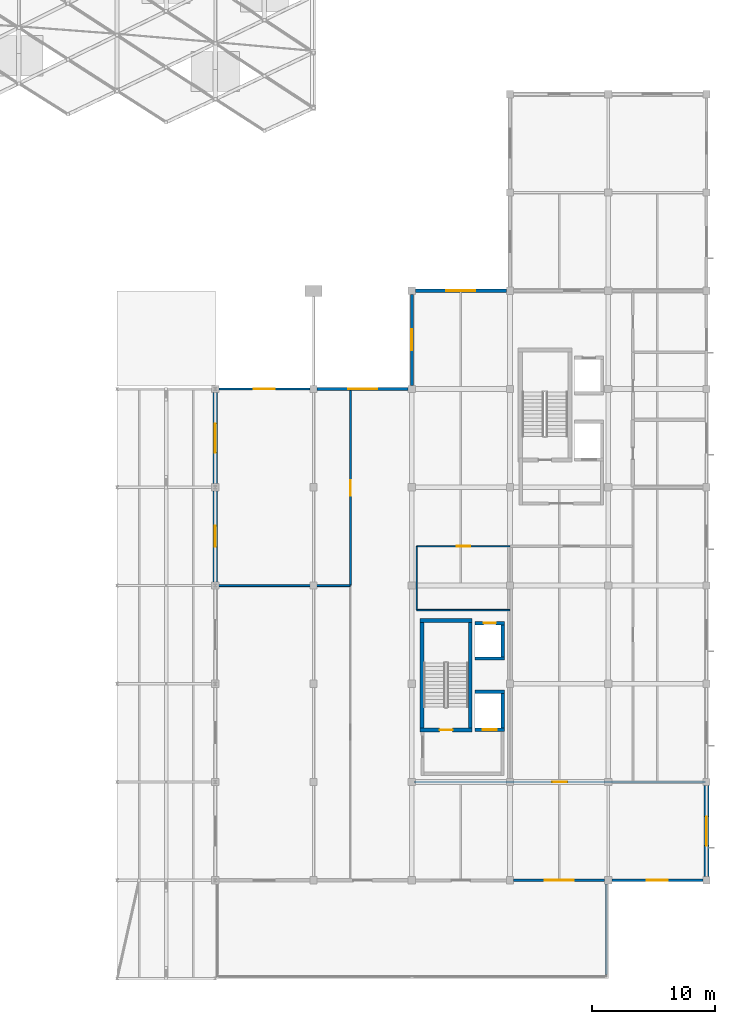
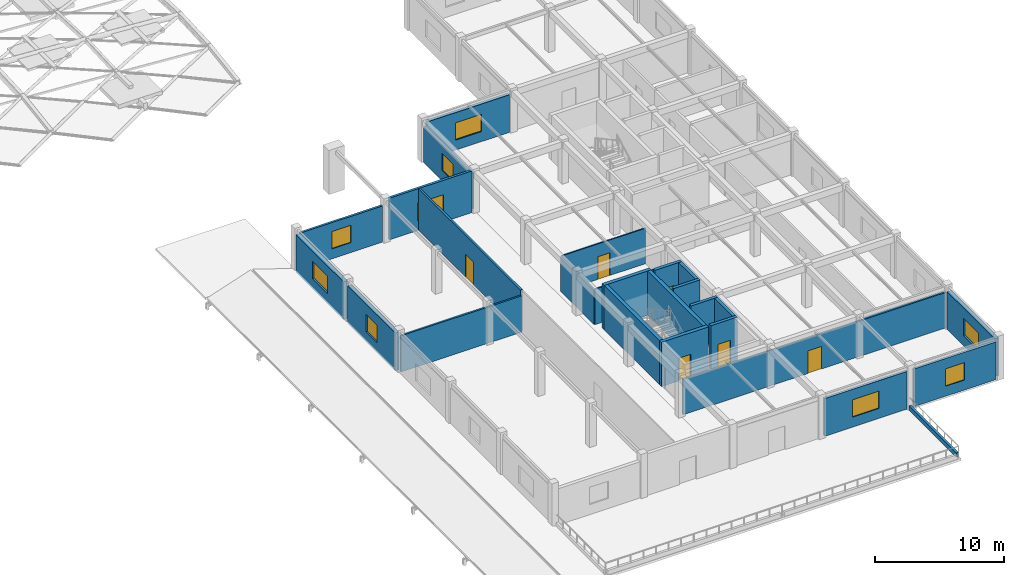
# One storey, part 16 of 27: 26 walls, 9 windows, 6 doors, 15 openings.
"""IFC4 building model written with IfcOpenShell, lengths in metres."""

from ifc_helpers import new_model, si_unit, direction, frame, frame_2d, origin, place, context, subcontext, project, spatial, rectangle, extrude, material, layer, layer_set, type_object, element, fill, save


model = new_model("IFC4")

# Units and contexts
model_context = context("Model", 3, precision=1e-05, world=origin(), true_north=direction((0.0, 1.0)))
body_context = subcontext(model_context, "Body", "Model", "MODEL_VIEW")
ifc_project = project(units=[si_unit("LENGTHUNIT", "METRE"), si_unit("AREAUNIT", "SQUARE_METRE"), si_unit("VOLUMEUNIT", "CUBIC_METRE"), si_unit("PLANEANGLEUNIT", "RADIAN"), si_unit("MASSUNIT", "GRAM", prefix="KILO")], contexts=[model_context])

# Site, building, storey
site_placement = place(None, origin())
site = spatial("IfcSite", under=ifc_project, at=site_placement, CompositionType="ELEMENT")
building_placement = place(site_placement, origin())
building = spatial("IfcBuilding", under=site, at=building_placement, Name="Kenh Van Central Station", CompositionType="ELEMENT")
storey_placement = place(building_placement, frame((0.0, 0.0, 19.199951171875)))
storey = spatial("IfcBuildingStorey", under=building, at=storey_placement, Name="L04", CompositionType="ELEMENT", Elevation=19.199951171875)

# Wall, opening, door
ifc_material_1 = material(Name="Concrete C40/50", Category="concrete")
ifc_layer_1 = layer(ifc_material_1, 0.280029296875, Name="Concrete C40/50")
ifc_layer_set_1 = layer_set([ifc_layer_1], Name="Concrete C40/50")
wall_type_1 = type_object("IfcWallType", Name="WL-CORE-280", PredefinedType="SHEAR", material=ifc_layer_set_1)
wall_1_placement = place(storey_placement, frame((157.14990234375, 28.260009765625, 0.0), z_axis=(0.0, 0.0, 1.0), x_axis=(1.0, 0.0, 0.0)))
wall_1 = element("IfcWall", 1, at=wall_1_placement, inside=storey, type_object=wall_type_1, Name="L04 LIFT-FF1 shaft wall S", PredefinedType="SHEAR", context=body_context, shape_type="SweptSolid", body=[
    extrude(rectangle(XDim=2.380126953125, YDim=0.280029296875, at=frame_2d((1.18994140625, 0.0))), origin(), (0.0, 0.0, 1.0), 4.199951171875),
])
opening_1_placement = place(wall_1_placement, frame((0.614990234375, 0.0, 0.0)))
opening_1 = element("IfcOpeningElement", 2, at=opening_1_placement, cuts=wall_1, Name="Opening LD-FF1", PredefinedType="OPENING", context=body_context, shape_type="SweptSolid", body=[
    extrude(rectangle(XDim=1.14990234375, YDim=2.199951171875, at=frame_2d((0.574951171875, 1.10009765625))), frame((0.0, 0.14990234375, 0.0), z_axis=(0.0, -1.0, 0.0), x_axis=(1.0, 0.0, 0.0)), (0.0, 0.0, 1.0), 0.300048828125),
])
ifc_material_2 = material(Name="Champagne anodised aluminium", Category="aluminium")
door_type_1 = type_object("IfcDoorType", Name="DR-LIFT-1150x2200", OperationType="SLIDING_TO_LEFT", PredefinedType="DOOR", material=ifc_material_2)
door_1_placement = place(opening_1_placement, origin())
door_1 = element("IfcDoor", 3, at=door_1_placement, inside=storey, type_object=door_type_1, Name="L04 LIFT-FF1 sliding landing door", OperationType="SLIDING_TO_LEFT", OverallHeight=2.199951171875, OverallWidth=1.14990234375, PredefinedType="DOOR", context=body_context, shape_type="SweptSolid", body=[
    extrude(rectangle(XDim=1.14990234375, YDim=2.199951171875, at=frame_2d((0.574951171875, 1.10009765625))), frame((0.0, 0.02490234375, 0.0), z_axis=(0.0, -1.0, 0.0), x_axis=(1.0, 0.0, 0.0)), (0.0, 0.0, 1.0), 0.050048828125),
])
fill(opening_1, door_1)

# Walls
wall_2_placement = place(storey_placement, frame((157.14990234375, 31.340087890625, 0.0), z_axis=(0.0, 0.0, 1.0), x_axis=(1.0, 0.0, 0.0)))
element("IfcWall", 4, at=wall_2_placement, inside=storey, type_object=wall_type_1, Name="L04 LIFT-FF1 shaft wall N", PredefinedType="SHEAR", context=body_context, shape_type="SweptSolid", body=[
    extrude(rectangle(XDim=2.380126953125, YDim=0.280029296875, at=frame_2d((1.18994140625, 0.0))), origin(), (0.0, 0.0, 1.0), 4.199951171875),
])
wall_3_placement = place(storey_placement, frame((159.389892578125, 28.39990234375, 0.0), z_axis=(0.0, 0.0, 1.0), x_axis=(0.0, 1.0, 0.0)))
element("IfcWall", 5, at=wall_3_placement, inside=storey, type_object=wall_type_1, Name="L04 LIFT-FF1 shaft wall E", PredefinedType="SHEAR", context=body_context, shape_type="SweptSolid", body=[
    extrude(rectangle(XDim=2.800048828125, YDim=0.280029296875, at=frame_2d((1.39990234375, 0.0))), origin(), (0.0, 0.0, 1.0), 4.199951171875),
])
wall_4_placement = place(storey_placement, frame((157.14990234375, 34.06005859375, 0.0), z_axis=(0.0, 0.0, 1.0), x_axis=(1.0, 0.0, 0.0)))
element("IfcWall", 6, at=wall_4_placement, inside=storey, type_object=wall_type_1, Name="L04 LIFT-OP1 shaft wall S", PredefinedType="SHEAR", context=body_context, shape_type="SweptSolid", body=[
    extrude(rectangle(XDim=2.380126953125, YDim=0.280029296875, at=frame_2d((1.18994140625, 0.0))), origin(), (0.0, 0.0, 1.0), 4.199951171875),
])

# Wall, opening, door
wall_5_placement = place(storey_placement, frame((157.14990234375, 36.93994140625, 0.0), z_axis=(0.0, 0.0, 1.0), x_axis=(1.0, 0.0, 0.0)))
wall_5 = element("IfcWall", 7, at=wall_5_placement, inside=storey, type_object=wall_type_1, Name="L04 LIFT-OP1 shaft wall N", PredefinedType="SHEAR", context=body_context, shape_type="SweptSolid", body=[
    extrude(rectangle(XDim=2.380126953125, YDim=0.280029296875, at=frame_2d((1.18994140625, 0.0))), origin(), (0.0, 0.0, 1.0), 4.199951171875),
])
opening_2_placement = place(wall_5_placement, frame((0.68994140625, 0.0, 0.0)))
opening_2 = element("IfcOpeningElement", 8, at=opening_2_placement, cuts=wall_5, Name="Opening LD-OP1", PredefinedType="OPENING", context=body_context, shape_type="SweptSolid", body=[
    extrude(rectangle(XDim=1.0, YDim=2.14990234375, at=frame_2d((0.5, 1.074951171875))), frame((0.0, 0.14990234375, 0.0), z_axis=(0.0, -1.0, 0.0), x_axis=(1.0, 0.0, 0.0)), (0.0, 0.0, 1.0), 0.300048828125),
])
door_type_2 = type_object("IfcDoorType", Name="DR-LIFT-1000x2150", OperationType="SLIDING_TO_LEFT", PredefinedType="DOOR", material=ifc_material_2)
door_2_placement = place(opening_2_placement, origin())
door_2 = element("IfcDoor", 9, at=door_2_placement, inside=storey, type_object=door_type_2, Name="L04 LIFT-OP1 sliding landing door", OperationType="SLIDING_TO_LEFT", OverallHeight=2.14990234375, OverallWidth=1.0, PredefinedType="DOOR", context=body_context, shape_type="SweptSolid", body=[
    extrude(rectangle(XDim=1.0, YDim=2.14990234375, at=frame_2d((0.5, 1.074951171875))), frame((0.0, 0.02490234375, 0.0), z_axis=(0.0, -1.0, 0.0), x_axis=(1.0, 0.0, 0.0)), (0.0, 0.0, 1.0), 0.050048828125),
])
fill(opening_2, door_2)

# Wall
wall_6_placement = place(storey_placement, frame((159.389892578125, 34.199951171875, 0.0), z_axis=(0.0, 0.0, 1.0), x_axis=(0.0, 1.0, 0.0)))
element("IfcWall", 10, at=wall_6_placement, inside=storey, type_object=wall_type_1, Name="L04 LIFT-OP1 shaft wall E", PredefinedType="SHEAR", context=body_context, shape_type="SweptSolid", body=[
    extrude(rectangle(XDim=2.60009765625, YDim=0.280029296875, at=frame_2d((1.300048828125, 0.0))), origin(), (0.0, 0.0, 1.0), 4.199951171875),
])

# Wall, opening, door
ifc_layer_2 = layer(ifc_material_1, 0.320068359375, Name="Concrete C40/50")
ifc_layer_set_2 = layer_set([ifc_layer_2], Name="Concrete C40/50")
wall_type_2 = type_object("IfcWallType", Name="WL-CORE-320", PredefinedType="SHEAR", material=ifc_layer_set_2)
wall_7_placement = place(storey_placement, frame((152.679931640625, 28.239990234375, 0.0), z_axis=(0.0, 0.0, 1.0), x_axis=(1.0, 0.0, 0.0)))
wall_7 = element("IfcWall", 11, at=wall_7_placement, inside=storey, type_object=wall_type_2, Name="L04 CORE-09 stair wall S", PredefinedType="SHEAR", context=body_context, shape_type="SweptSolid", body=[
    extrude(rectangle(XDim=4.239990234375, YDim=0.320068359375, at=frame_2d((2.1201171875, 0.0))), origin(), (0.0, 0.0, 1.0), 4.199951171875),
])
opening_3_placement = place(wall_7_placement, frame((1.594970703125, 0.0, 0.0)))
opening_3 = element("IfcOpeningElement", 12, at=opening_3_placement, cuts=wall_7, Name="Opening D-FD60", PredefinedType="OPENING", context=body_context, shape_type="SweptSolid", body=[
    extrude(rectangle(XDim=1.050048828125, YDim=2.14990234375, at=frame_2d((0.52490234375, 1.074951171875))), frame((0.0, 0.169921875, 0.0), z_axis=(0.0, -1.0, 0.0), x_axis=(1.0, 0.0, 0.0)), (0.0, 0.0, 1.0), 0.340087890625),
])
door_type_3 = type_object("IfcDoorType", Name="DR-FIRE-1050x2150", OperationType="NOTDEFINED", PredefinedType="DOOR", material=ifc_material_2)
door_3_placement = place(opening_3_placement, origin())
door_3 = element("IfcDoor", 13, at=door_3_placement, inside=storey, type_object=door_type_3, Name="L04 ST-09 stair door", OperationType="SINGLE_SWING_RIGHT", OverallHeight=2.14990234375, OverallWidth=1.050048828125, PredefinedType="DOOR", context=body_context, shape_type="SweptSolid", body=[
    extrude(rectangle(XDim=1.050048828125, YDim=2.14990234375, at=frame_2d((0.52490234375, 1.074951171875))), frame((0.0, 0.02490234375, 0.0), z_axis=(0.0, -1.0, 0.0), x_axis=(1.0, 0.0, 0.0)), (0.0, 0.0, 1.0), 0.050048828125),
])
fill(opening_3, door_3)

# Walls
wall_8_placement = place(storey_placement, frame((152.679931640625, 37.159912109375, 0.0), z_axis=(0.0, 0.0, 1.0), x_axis=(1.0, 0.0, 0.0)))
element("IfcWall", 14, at=wall_8_placement, inside=storey, type_object=wall_type_2, Name="L04 CORE-09 stair wall N", PredefinedType="SHEAR", context=body_context, shape_type="SweptSolid", body=[
    extrude(rectangle(XDim=4.239990234375, YDim=0.320068359375, at=frame_2d((2.1201171875, 0.0))), origin(), (0.0, 0.0, 1.0), 4.199951171875),
])
for number, where, z_axis, x_axis, name in (
    (15, (152.840087890625, 28.39990234375, 0.0), (0.0, 0.0, 1.0), (0.0, 1.0, 0.0), "L04 CORE-09 stair wall W"),
    (16, (156.760009765625, 28.39990234375, 0.0), (0.0, 0.0, 1.0), (0.0, 1.0, 0.0), "L04 CORE-09 stair wall E"),
):
    element("IfcWall", number, at=place(storey_placement, frame(where, z_axis=z_axis, x_axis=x_axis)), inside=storey, type_object=wall_type_2, Name=name, PredefinedType="SHEAR", context=body_context, shape_type="SweptSolid", body=[
        extrude(rectangle(XDim=8.60009765625, YDim=0.320068359375, at=frame_2d((4.300048828125, 0.0))), origin(), (0.0, 0.0, 1.0), 4.199951171875),
    ])

# Wall, opening, window
ifc_material_3 = material(Name="Saigon buff sandstone and terracotta masonry", Category="masonry")
ifc_layer_3 = layer(ifc_material_3, 0.2900390625, Name="Saigon buff sandstone and terracotta masonry")
ifc_layer_set_3 = layer_set([ifc_layer_3], Name="Saigon buff sandstone and terracotta masonry")
wall_type_3 = type_object("IfcWallType", Name="WL-EXT-290", PredefinedType="STANDARD", material=ifc_layer_set_3)
wall_9_placement = place(storey_placement, frame((159.699951171875, 64.0, 0.0), z_axis=(0.0, 0.0, 1.0), x_axis=(-1.0, 0.0, 0.0)))
wall_9 = element("IfcWall", 17, at=wall_9_placement, inside=storey, type_object=wall_type_3, Name="L04 exterior wall 148", PredefinedType="STANDARD", context=body_context, shape_type="SweptSolid", body=[
    extrude(rectangle(XDim=7.39990234375, YDim=0.2900390625, at=frame_2d((3.699951171875, 0.0))), origin(), (0.0, 0.0, 1.0), 3.570068359375),
])
opening_4_placement = place(wall_9_placement, frame((2.52490234375, 0.0, 0.949951171875)))
opening_4 = element("IfcOpeningElement", 18, at=opening_4_placement, cuts=wall_9, Name="Opening WN-20", PredefinedType="OPENING", context=body_context, shape_type="SweptSolid", body=[
    extrude(rectangle(XDim=2.35009765625, YDim=1.64990234375, at=frame_2d((1.175048828125, 0.824951171875))), frame((0.0, 0.155029296875, 0.0), z_axis=(0.0, -1.0, 0.0), x_axis=(1.0, 0.0, 0.0)), (0.0, 0.0, 1.0), 0.31005859375),
])
ifc_material_4 = material(Name="Double-glazed low-E laminated solar glass", Category="glass")
window_type_1 = type_object("IfcWindowType", Name="WN-OP04-2350x1650", PartitioningType="DOUBLE_PANEL_VERTICAL", PredefinedType="WINDOW", material=ifc_material_4)
window_1_placement = place(opening_4_placement, origin())
window_1 = element("IfcWindow", 19, at=window_1_placement, inside=storey, type_object=window_type_1, Name="L04 window 114", OverallHeight=1.64990234375, OverallWidth=2.35009765625, PartitioningType="SINGLE_PANEL", PredefinedType="WINDOW", context=body_context, shape_type="SweptSolid", body=[
    extrude(rectangle(XDim=2.35009765625, YDim=1.64990234375, at=frame_2d((1.175048828125, 0.824951171875))), frame((0.0, 0.030029296875, 0.0), z_axis=(0.0, -1.0, 0.0), x_axis=(1.0, 0.0, 0.0)), (0.0, 0.0, 1.0), 0.06005859375),
])
fill(opening_4, window_1)

ifc_layer_4 = layer(ifc_material_3, 0.35009765625, Name="Saigon buff sandstone and terracotta masonry")
ifc_layer_set_4 = layer_set([ifc_layer_4], Name="Saigon buff sandstone and terracotta masonry")
wall_type_4 = type_object("IfcWallType", Name="WL-EXT-350", PredefinedType="STANDARD", material=ifc_layer_set_4)
wall_10_placement = place(storey_placement, frame((136.0, 47.699951171875, 0.0), z_axis=(0.0, 0.0, 1.0), x_axis=(0.0, -1.0, 0.0)))
wall_10 = element("IfcWall", 20, at=wall_10_placement, inside=storey, type_object=wall_type_4, Name="L04 exterior wall 153", PredefinedType="STANDARD", context=body_context, shape_type="SweptSolid", body=[
    extrude(rectangle(XDim=7.39990234375, YDim=0.35009765625, at=frame_2d((3.699951171875, 0.0))), origin(), (0.0, 0.0, 1.0), 3.580078125),
])
opening_5_placement = place(wall_10_placement, frame((2.85009765625, 0.0, 0.949951171875)))
opening_5 = element("IfcOpeningElement", 21, at=opening_5_placement, cuts=wall_10, Name="Opening WN-21", PredefinedType="OPENING", context=body_context, shape_type="SweptSolid", body=[
    extrude(rectangle(XDim=1.699951171875, YDim=1.64990234375, at=frame_2d((0.85009765625, 0.824951171875))), frame((0.0, 0.18505859375, 0.0), z_axis=(0.0, -1.0, 0.0), x_axis=(1.0, 0.0, 0.0)), (0.0, 0.0, 1.0), 0.3701171875),
])
window_type_2 = type_object("IfcWindowType", Name="WN-OP04-1700x1650", PartitioningType="SINGLE_PANEL", PredefinedType="WINDOW", material=ifc_material_4)
window_2_placement = place(opening_5_placement, origin())
window_2 = element("IfcWindow", 22, at=window_2_placement, inside=storey, type_object=window_type_2, Name="L04 window 119", OverallHeight=1.64990234375, OverallWidth=1.699951171875, PartitioningType="SINGLE_PANEL", PredefinedType="WINDOW", context=body_context, shape_type="SweptSolid", body=[
    extrude(rectangle(XDim=1.699951171875, YDim=1.64990234375, at=frame_2d((0.85009765625, 0.824951171875))), frame((0.0, 0.030029296875, 0.0), z_axis=(0.0, -1.0, 0.0), x_axis=(1.0, 0.0, 0.0)), (0.0, 0.0, 1.0), 0.06005859375),
])
fill(opening_5, window_2)

ifc_layer_5 = layer(ifc_material_3, 0.3798828125, Name="Saigon buff sandstone and terracotta masonry")
ifc_layer_set_5 = layer_set([ifc_layer_5], Name="Saigon buff sandstone and terracotta masonry")
wall_type_5 = type_object("IfcWallType", Name="WL-EXT-380", PredefinedType="STANDARD", material=ifc_layer_set_5)
wall_11_placement = place(storey_placement, frame((176.0, 16.300048828125, 0.0), z_axis=(0.0, 0.0, 1.0), x_axis=(0.0, 1.0, 0.0)))
wall_11 = element("IfcWall", 23, at=wall_11_placement, inside=storey, type_object=wall_type_5, Name="L04 exterior wall 136", PredefinedType="STANDARD", context=body_context, shape_type="SweptSolid", body=[
    extrude(rectangle(XDim=7.39990234375, YDim=0.3798828125, at=frame_2d((3.699951171875, 0.0))), origin(), (0.0, 0.0, 1.0), 3.580078125),
])
opening_6_placement = place(wall_11_placement, frame((2.52490234375, 0.0, 0.949951171875)))
opening_6 = element("IfcOpeningElement", 24, at=opening_6_placement, cuts=wall_11, Name="Opening WN-20", PredefinedType="OPENING", context=body_context, shape_type="SweptSolid", body=[
    extrude(rectangle(XDim=2.35009765625, YDim=1.64990234375, at=frame_2d((1.175048828125, 0.824951171875))), frame((0.0, 0.199951171875, 0.0), z_axis=(0.0, -1.0, 0.0), x_axis=(1.0, 0.0, 0.0)), (0.0, 0.0, 1.0), 0.39990234375),
])
window_3_placement = place(opening_6_placement, origin())
window_3 = element("IfcWindow", 25, at=window_3_placement, inside=storey, type_object=window_type_1, Name="L04 window 102", OverallHeight=1.64990234375, OverallWidth=2.35009765625, PartitioningType="SINGLE_PANEL", PredefinedType="WINDOW", context=body_context, shape_type="SweptSolid", body=[
    extrude(rectangle(XDim=2.35009765625, YDim=1.64990234375, at=frame_2d((1.175048828125, 0.824951171875))), frame((0.0, 0.030029296875, 0.0), z_axis=(0.0, -1.0, 0.0), x_axis=(1.0, 0.0, 0.0)), (0.0, 0.0, 1.0), 0.06005859375),
])
fill(opening_6, window_3)

wall_12_placement = place(storey_placement, frame((136.0, 55.699951171875, 0.0), z_axis=(0.0, 0.0, 1.0), x_axis=(0.0, -1.0, 0.0)))
wall_12 = element("IfcWall", 26, at=wall_12_placement, inside=storey, type_object=wall_type_5, Name="L04 exterior wall 152", PredefinedType="STANDARD", context=body_context, shape_type="SweptSolid", body=[
    extrude(rectangle(XDim=7.39990234375, YDim=0.3798828125, at=frame_2d((3.699951171875, 0.0))), origin(), (0.0, 0.0, 1.0), 3.580078125),
])
opening_7_placement = place(wall_12_placement, frame((2.52490234375, 0.0, 0.949951171875)))
opening_7 = element("IfcOpeningElement", 27, at=opening_7_placement, cuts=wall_12, Name="Opening WN-20", PredefinedType="OPENING", context=body_context, shape_type="SweptSolid", body=[
    extrude(rectangle(XDim=2.35009765625, YDim=1.64990234375, at=frame_2d((1.175048828125, 0.824951171875))), frame((0.0, 0.199951171875, 0.0), z_axis=(0.0, -1.0, 0.0), x_axis=(1.0, 0.0, 0.0)), (0.0, 0.0, 1.0), 0.39990234375),
])
window_4_placement = place(opening_7_placement, origin())
window_4 = element("IfcWindow", 28, at=window_4_placement, inside=storey, type_object=window_type_1, Name="L04 window 118", OverallHeight=1.64990234375, OverallWidth=2.35009765625, PartitioningType="SINGLE_PANEL", PredefinedType="WINDOW", context=body_context, shape_type="SweptSolid", body=[
    extrude(rectangle(XDim=2.35009765625, YDim=1.64990234375, at=frame_2d((1.175048828125, 0.824951171875))), frame((0.0, 0.030029296875, 0.0), z_axis=(0.0, -1.0, 0.0), x_axis=(1.0, 0.0, 0.0)), (0.0, 0.0, 1.0), 0.06005859375),
])
fill(opening_7, window_4)

# Walls
ifc_material_5 = material(Name="Saigon buff sandstone parapet masonry", Category="masonry")
ifc_layer_6 = layer(ifc_material_5, 0.205078125, Name="Saigon buff sandstone parapet masonry")
ifc_layer_set_6 = layer_set([ifc_layer_6], Name="Saigon buff sandstone parapet masonry")
wall_type_6 = type_object("IfcWallType", Name="WL-PAR-205", PredefinedType="PARAPET", material=ifc_layer_set_6)
wall_13_placement = place(storey_placement, frame((167.85009765625, 8.31005859375, 0.0), z_axis=(0.0, 0.0, 1.0), x_axis=(0.0, 1.0, 0.0)))
element("IfcWall", 29, at=wall_13_placement, inside=storey, type_object=wall_type_6, Name="L04 terrace parapet 14", PredefinedType="PARAPET", context=body_context, shape_type="SweptSolid", body=[
    extrude(rectangle(XDim=7.3798828125, YDim=0.205078125, at=frame_2d((3.68994140625, 0.0))), origin(), (0.0, 0.0, 1.0), 0.420166015625),
])
ifc_material_6 = material(Name="Lightweight acoustic masonry blockwork", Category="masonry")
ifc_layer_7 = layer(ifc_material_6, 0.10009765625, Name="Lightweight acoustic masonry blockwork")
ifc_layer_set_7 = layer_set([ifc_layer_7], Name="Lightweight acoustic masonry blockwork")
wall_type_7 = type_object("IfcWallType", Name="WL-PART-100", PredefinedType="PARTITIONING", material=ifc_layer_set_7)
wall_14_placement = place(storey_placement, frame((152.39990234375, 38.02001953125, 0.0), z_axis=(0.0, 0.0, 1.0), x_axis=(0.0, 1.0, 0.0)))
element("IfcWall", 30, at=wall_14_placement, inside=storey, type_object=wall_type_7, Name="L04 interior wall 0195", PredefinedType="PARTITIONING", context=body_context, shape_type="SweptSolid", body=[
    extrude(rectangle(XDim=5.159912109375, YDim=0.10009765625, at=frame_2d((2.580078125, 0.0))), origin(), (0.0, 0.0, 1.0), 3.3701171875),
])

# Wall, opening, door
ifc_layer_8 = layer(ifc_material_6, 0.114990234375, Name="Lightweight acoustic masonry blockwork")
ifc_layer_set_8 = layer_set([ifc_layer_8], Name="Lightweight acoustic masonry blockwork")
wall_type_8 = type_object("IfcWallType", Name="WL-PART-115", PredefinedType="PARTITIONING", material=ifc_layer_set_8)
wall_15_placement = place(storey_placement, frame((152.419921875, 43.199951171875, 0.0), z_axis=(0.0, 0.0, 1.0), x_axis=(1.0, 0.0, 0.0)))
wall_15 = element("IfcWall", 31, at=wall_15_placement, inside=storey, type_object=wall_type_8, Name="L04 interior wall 0194", PredefinedType="PARTITIONING", context=body_context, shape_type="SweptSolid", body=[
    extrude(rectangle(XDim=7.56005859375, YDim=0.114990234375, at=frame_2d((3.780029296875, 0.0))), origin(), (0.0, 0.0, 1.0), 3.3701171875),
])
opening_8_placement = place(wall_15_placement, frame((3.239990234375, 0.0, 0.0)))
opening_8 = element("IfcOpeningElement", 32, at=opening_8_placement, cuts=wall_15, Name="Opening D-IN05", PredefinedType="OPENING", context=body_context, shape_type="SweptSolid", body=[
    extrude(rectangle(XDim=1.080078125, YDim=2.14990234375, at=frame_2d((0.5400390625, 1.074951171875))), frame((0.0, 0.0673828125, 0.0), z_axis=(0.0, -1.0, 0.0), x_axis=(1.0, 0.0, 0.0)), (0.0, 0.0, 1.0), 0.135009765625),
])
ifc_material_7 = material(Name="Architectural hardwood timber", Category="wood")
door_type_4 = type_object("IfcDoorType", Name="DR-INT-1080x2150", OperationType="NOTDEFINED", PredefinedType="DOOR", material=ifc_material_7)
door_4_placement = place(opening_8_placement, origin())
door_4 = element("IfcDoor", 33, at=door_4_placement, inside=storey, type_object=door_type_4, Name="L04 interior door 0106", OperationType="SINGLE_SWING_LEFT", OverallHeight=2.14990234375, OverallWidth=1.080078125, PredefinedType="DOOR", context=body_context, shape_type="SweptSolid", body=[
    extrude(rectangle(XDim=1.080078125, YDim=2.14990234375, at=frame_2d((0.5400390625, 1.074951171875))), frame((0.0, 0.02490234375, 0.0), z_axis=(0.0, -1.0, 0.0), x_axis=(1.0, 0.0, 0.0)), (0.0, 0.0, 1.0), 0.050048828125),
])
fill(opening_8, door_4)

# Wall
ifc_layer_9 = layer(ifc_material_6, 0.125, Name="Lightweight acoustic masonry blockwork")
ifc_layer_set_9 = layer_set([ifc_layer_9], Name="Lightweight acoustic masonry blockwork")
wall_type_9 = type_object("IfcWallType", Name="WL-PART-125", PredefinedType="PARTITIONING", material=ifc_layer_set_9)
wall_16_placement = place(storey_placement, frame((152.419921875, 38.0, 0.0), z_axis=(0.0, 0.0, 1.0), x_axis=(1.0, 0.0, 0.0)))
element("IfcWall", 34, at=wall_16_placement, inside=storey, type_object=wall_type_9, Name="L04 interior wall 0193", PredefinedType="PARTITIONING", context=body_context, shape_type="SweptSolid", body=[
    extrude(rectangle(XDim=7.56005859375, YDim=0.125, at=frame_2d((3.780029296875, 0.0))), origin(), (0.0, 0.0, 1.0), 3.3701171875),
])

# Wall, opening, door
ifc_layer_10 = layer(ifc_material_6, 0.14990234375, Name="Lightweight acoustic masonry blockwork")
ifc_layer_set_10 = layer_set([ifc_layer_10], Name="Lightweight acoustic masonry blockwork")
wall_type_10 = type_object("IfcWallType", Name="WL-PART-150", PredefinedType="PARTITIONING", material=ifc_layer_set_10)
wall_17_placement = place(storey_placement, frame((152.219970703125, 24.0, 0.0), z_axis=(0.0, 0.0, 1.0), x_axis=(1.0, 0.0, 0.0)))
wall_17 = element("IfcWall", 35, at=wall_17_placement, inside=storey, type_object=wall_type_10, Name="L04 interior wall 0191", PredefinedType="PARTITIONING", context=body_context, shape_type="SweptSolid", body=[
    extrude(rectangle(XDim=23.659912109375, YDim=0.14990234375, at=frame_2d((11.830078125, 0.0))), origin(), (0.0, 0.0, 1.0), 3.3701171875),
])
opening_9_placement = place(wall_17_placement, frame((11.205078125, 0.0, 0.0)))
opening_9 = element("IfcOpeningElement", 36, at=opening_9_placement, cuts=wall_17, Name="Opening D-IN04", PredefinedType="OPENING", context=body_context, shape_type="SweptSolid", body=[
    extrude(rectangle(XDim=1.25, YDim=2.14990234375, at=frame_2d((0.625, 1.074951171875))), frame((0.0, 0.0849609375, 0.0), z_axis=(0.0, -1.0, 0.0), x_axis=(1.0, 0.0, 0.0)), (0.0, 0.0, 1.0), 0.169921875),
])
door_type_5 = type_object("IfcDoorType", Name="DR-INT-1250x2150", OperationType="NOTDEFINED", PredefinedType="DOOR", material=ifc_material_7)
door_5_placement = place(opening_9_placement, origin())
door_5 = element("IfcDoor", 37, at=door_5_placement, inside=storey, type_object=door_type_5, Name="L04 interior door 0105", OperationType="SINGLE_SWING_RIGHT", OverallHeight=2.14990234375, OverallWidth=1.25, PredefinedType="DOOR", context=body_context, shape_type="SweptSolid", body=[
    extrude(rectangle(XDim=1.25, YDim=2.14990234375, at=frame_2d((0.625, 1.074951171875))), frame((0.0, 0.02490234375, 0.0), z_axis=(0.0, -1.0, 0.0), x_axis=(1.0, 0.0, 0.0)), (0.0, 0.0, 1.0), 0.050048828125),
])
fill(opening_9, door_5)

# Wall
ifc_layer_11 = layer(ifc_material_6, 0.159912109375, Name="Lightweight acoustic masonry blockwork")
ifc_layer_set_11 = layer_set([ifc_layer_11], Name="Lightweight acoustic masonry blockwork")
wall_type_11 = type_object("IfcWallType", Name="WL-PART-160", PredefinedType="PARTITIONING", material=ifc_layer_set_11)
wall_18_placement = place(storey_placement, frame((136.1201171875, 40.0, 0.0), z_axis=(0.0, 0.0, 1.0), x_axis=(1.0, 0.0, 0.0)))
element("IfcWall", 38, at=wall_18_placement, inside=storey, type_object=wall_type_11, Name="L04 interior wall 0190", PredefinedType="PARTITIONING", context=body_context, shape_type="SweptSolid", body=[
    extrude(rectangle(XDim=10.85986328125, YDim=0.159912109375, at=frame_2d((5.429931640625, 0.0))), origin(), (0.0, 0.0, 1.0), 3.441650390625),
])

# Wall, opening, door
ifc_layer_12 = layer(ifc_material_6, 0.175048828125, Name="Lightweight acoustic masonry blockwork")
ifc_layer_set_12 = layer_set([ifc_layer_12], Name="Lightweight acoustic masonry blockwork")
wall_type_12 = type_object("IfcWallType", Name="WL-PART-175", PredefinedType="PARTITIONING", material=ifc_layer_set_12)
wall_19_placement = place(storey_placement, frame((147.0, 40.02001953125, 0.0), z_axis=(0.0, 0.0, 1.0), x_axis=(0.0, 1.0, 0.0)))
wall_19 = element("IfcWall", 39, at=wall_19_placement, inside=storey, type_object=wall_type_12, Name="L04 interior wall 0189", PredefinedType="PARTITIONING", context=body_context, shape_type="SweptSolid", body=[
    extrude(rectangle(XDim=15.85986328125, YDim=0.175048828125, at=frame_2d((7.929931640625, 0.0))), origin(), (0.0, 0.0, 1.0), 3.9599609375),
])
opening_10_placement = place(wall_19_placement, frame((7.304931640625, 0.0, 0.0)))
opening_10 = element("IfcOpeningElement", 40, at=opening_10_placement, cuts=wall_19, Name="Opening D-IN04", PredefinedType="OPENING", context=body_context, shape_type="SweptSolid", body=[
    extrude(rectangle(XDim=1.25, YDim=2.14990234375, at=frame_2d((0.625, 1.074951171875))), frame((0.0, 0.097412109375, 0.0), z_axis=(0.0, -1.0, 0.0), x_axis=(1.0, 0.0, 0.0)), (0.0, 0.0, 1.0), 0.195068359375),
])
door_6_placement = place(opening_10_placement, origin())
door_6 = element("IfcDoor", 41, at=door_6_placement, inside=storey, type_object=door_type_5, Name="L04 interior door 0104", OperationType="SINGLE_SWING_LEFT", OverallHeight=2.14990234375, OverallWidth=1.25, PredefinedType="DOOR", context=body_context, shape_type="SweptSolid", body=[
    extrude(rectangle(XDim=1.25, YDim=2.14990234375, at=frame_2d((0.625, 1.074951171875))), frame((0.0, 0.02490234375, 0.0), z_axis=(0.0, -1.0, 0.0), x_axis=(1.0, 0.0, 0.0)), (0.0, 0.0, 1.0), 0.050048828125),
])
fill(opening_10, door_6)

# Wall, opening, window
ifc_material_8 = material(Name="Glazed terracotta architectural masonry", Category="masonry")
ifc_layer_13 = layer(ifc_material_8, 0.195068359375, Name="Glazed terracotta architectural masonry")
ifc_layer_set_13 = layer_set([ifc_layer_13], Name="Glazed terracotta architectural masonry")
wall_type_13 = type_object("IfcWallType", Name="WL-SLD-195", PredefinedType="SOLIDWALL", material=ifc_layer_set_13)
wall_20_placement = place(storey_placement, frame((168.300048828125, 16.0, 0.0), z_axis=(0.0, 0.0, 1.0), x_axis=(1.0, 0.0, 0.0)))
wall_20 = element("IfcWall", 42, at=wall_20_placement, inside=storey, type_object=wall_type_13, Name="L04 exterior wall 135", PredefinedType="SOLIDWALL", context=body_context, shape_type="SweptSolid", body=[
    extrude(rectangle(XDim=7.39990234375, YDim=0.195068359375, at=frame_2d((3.699951171875, 0.0))), origin(), (0.0, 0.0, 1.0), 3.580078125),
])
opening_11_placement = place(wall_20_placement, frame((2.85009765625, 0.0, 0.949951171875)))
opening_11 = element("IfcOpeningElement", 43, at=opening_11_placement, cuts=wall_20, Name="Opening WN-21", PredefinedType="OPENING", context=body_context, shape_type="SweptSolid", body=[
    extrude(rectangle(XDim=1.699951171875, YDim=1.64990234375, at=frame_2d((0.85009765625, 0.824951171875))), frame((0.0, 0.107421875, 0.0), z_axis=(0.0, -1.0, 0.0), x_axis=(1.0, 0.0, 0.0)), (0.0, 0.0, 1.0), 0.215087890625),
])
window_5_placement = place(opening_11_placement, origin())
window_5 = element("IfcWindow", 44, at=window_5_placement, inside=storey, type_object=window_type_2, Name="L04 window 101", OverallHeight=1.64990234375, OverallWidth=1.699951171875, PartitioningType="SINGLE_PANEL", PredefinedType="WINDOW", context=body_context, shape_type="SweptSolid", body=[
    extrude(rectangle(XDim=1.699951171875, YDim=1.64990234375, at=frame_2d((0.85009765625, 0.824951171875))), frame((0.0, 0.030029296875, 0.0), z_axis=(0.0, -1.0, 0.0), x_axis=(1.0, 0.0, 0.0)), (0.0, 0.0, 1.0), 0.06005859375),
])
fill(opening_11, window_5)

wall_21_placement = place(storey_placement, frame((143.699951171875, 56.0, 0.0), z_axis=(0.0, 0.0, 1.0), x_axis=(-1.0, 0.0, 0.0)))
wall_21 = element("IfcWall", 45, at=wall_21_placement, inside=storey, type_object=wall_type_13, Name="L04 exterior wall 151", PredefinedType="SOLIDWALL", context=body_context, shape_type="SweptSolid", body=[
    extrude(rectangle(XDim=7.39990234375, YDim=0.195068359375, at=frame_2d((3.699951171875, 0.0))), origin(), (0.0, 0.0, 1.0), 3.441650390625),
])
opening_12_placement = place(wall_21_placement, frame((2.85009765625, 0.0, 0.949951171875)))
opening_12 = element("IfcOpeningElement", 46, at=opening_12_placement, cuts=wall_21, Name="Opening WN-21", PredefinedType="OPENING", context=body_context, shape_type="SweptSolid", body=[
    extrude(rectangle(XDim=1.699951171875, YDim=1.64990234375, at=frame_2d((0.85009765625, 0.824951171875))), frame((0.0, 0.107421875, 0.0), z_axis=(0.0, -1.0, 0.0), x_axis=(1.0, 0.0, 0.0)), (0.0, 0.0, 1.0), 0.215087890625),
])
window_6_placement = place(opening_12_placement, origin())
window_6 = element("IfcWindow", 47, at=window_6_placement, inside=storey, type_object=window_type_2, Name="L04 window 117", OverallHeight=1.64990234375, OverallWidth=1.699951171875, PartitioningType="SINGLE_PANEL", PredefinedType="WINDOW", context=body_context, shape_type="SweptSolid", body=[
    extrude(rectangle(XDim=1.699951171875, YDim=1.64990234375, at=frame_2d((0.85009765625, 0.824951171875))), frame((0.0, 0.030029296875, 0.0), z_axis=(0.0, -1.0, 0.0), x_axis=(1.0, 0.0, 0.0)), (0.0, 0.0, 1.0), 0.06005859375),
])
fill(opening_12, window_6)

ifc_layer_14 = layer(ifc_material_8, 0.219970703125, Name="Glazed terracotta architectural masonry")
ifc_layer_set_14 = layer_set([ifc_layer_14], Name="Glazed terracotta architectural masonry")
wall_type_14 = type_object("IfcWallType", Name="WL-SLD-220", PredefinedType="SOLIDWALL", material=ifc_layer_set_14)
wall_22_placement = place(storey_placement, frame((160.300048828125, 16.0, 0.0), z_axis=(0.0, 0.0, 1.0), x_axis=(1.0, 0.0, 0.0)))
wall_22 = element("IfcWall", 48, at=wall_22_placement, inside=storey, type_object=wall_type_14, Name="L04 exterior wall 134", PredefinedType="SOLIDWALL", context=body_context, shape_type="SweptSolid", body=[
    extrude(rectangle(XDim=7.39990234375, YDim=0.219970703125, at=frame_2d((3.699951171875, 0.0))), origin(), (0.0, 0.0, 1.0), 3.5849609375),
])
opening_13_placement = place(wall_22_placement, frame((2.52490234375, 0.0, 0.949951171875)))
opening_13 = element("IfcOpeningElement", 49, at=opening_13_placement, cuts=wall_22, Name="Opening WN-20", PredefinedType="OPENING", context=body_context, shape_type="SweptSolid", body=[
    extrude(rectangle(XDim=2.35009765625, YDim=1.64990234375, at=frame_2d((1.175048828125, 0.824951171875))), frame((0.0, 0.119873046875, 0.0), z_axis=(0.0, -1.0, 0.0), x_axis=(1.0, 0.0, 0.0)), (0.0, 0.0, 1.0), 0.239990234375),
])
window_7_placement = place(opening_13_placement, origin())
window_7 = element("IfcWindow", 50, at=window_7_placement, inside=storey, type_object=window_type_1, Name="L04 window 100", OverallHeight=1.64990234375, OverallWidth=2.35009765625, PartitioningType="SINGLE_PANEL", PredefinedType="WINDOW", context=body_context, shape_type="SweptSolid", body=[
    extrude(rectangle(XDim=2.35009765625, YDim=1.64990234375, at=frame_2d((1.175048828125, 0.824951171875))), frame((0.0, 0.030029296875, 0.0), z_axis=(0.0, -1.0, 0.0), x_axis=(1.0, 0.0, 0.0)), (0.0, 0.0, 1.0), 0.06005859375),
])
fill(opening_13, window_7)

wall_23_placement = place(storey_placement, frame((151.699951171875, 56.0, 0.0), z_axis=(0.0, 0.0, 1.0), x_axis=(-1.0, 0.0, 0.0)))
wall_23 = element("IfcWall", 51, at=wall_23_placement, inside=storey, type_object=wall_type_14, Name="L04 exterior wall 150", PredefinedType="SOLIDWALL", context=body_context, shape_type="SweptSolid", body=[
    extrude(rectangle(XDim=7.39990234375, YDim=0.219970703125, at=frame_2d((3.699951171875, 0.0))), origin(), (0.0, 0.0, 1.0), 3.9599609375),
])
opening_14_placement = place(wall_23_placement, frame((2.52490234375, 0.0, 0.949951171875)))
opening_14 = element("IfcOpeningElement", 52, at=opening_14_placement, cuts=wall_23, Name="Opening WN-20", PredefinedType="OPENING", context=body_context, shape_type="SweptSolid", body=[
    extrude(rectangle(XDim=2.35009765625, YDim=1.64990234375, at=frame_2d((1.175048828125, 0.824951171875))), frame((0.0, 0.119873046875, 0.0), z_axis=(0.0, -1.0, 0.0), x_axis=(1.0, 0.0, 0.0)), (0.0, 0.0, 1.0), 0.239990234375),
])
window_8_placement = place(opening_14_placement, origin())
window_8 = element("IfcWindow", 53, at=window_8_placement, inside=storey, type_object=window_type_1, Name="L04 window 116", OverallHeight=1.64990234375, OverallWidth=2.35009765625, PartitioningType="SINGLE_PANEL", PredefinedType="WINDOW", context=body_context, shape_type="SweptSolid", body=[
    extrude(rectangle(XDim=2.35009765625, YDim=1.64990234375, at=frame_2d((1.175048828125, 0.824951171875))), frame((0.0, 0.030029296875, 0.0), z_axis=(0.0, -1.0, 0.0), x_axis=(1.0, 0.0, 0.0)), (0.0, 0.0, 1.0), 0.06005859375),
])
fill(opening_14, window_8)

ifc_layer_15 = layer(ifc_material_8, 0.239990234375, Name="Glazed terracotta architectural masonry")
ifc_layer_set_15 = layer_set([ifc_layer_15], Name="Glazed terracotta architectural masonry")
wall_type_15 = type_object("IfcWallType", Name="WL-SLD-240", PredefinedType="SOLIDWALL", material=ifc_layer_set_15)
wall_24_placement = place(storey_placement, frame((152.0, 63.699951171875, 0.0), z_axis=(0.0, 0.0, 1.0), x_axis=(0.0, -1.0, 0.0)))
wall_24 = element("IfcWall", 54, at=wall_24_placement, inside=storey, type_object=wall_type_15, Name="L04 exterior wall 149", PredefinedType="SOLIDWALL", context=body_context, shape_type="SweptSolid", body=[
    extrude(rectangle(XDim=7.39990234375, YDim=0.239990234375, at=frame_2d((3.699951171875, 0.0))), origin(), (0.0, 0.0, 1.0), 3.3701171875),
])
opening_15_placement = place(wall_24_placement, frame((2.85009765625, 0.0, 0.949951171875)))
opening_15 = element("IfcOpeningElement", 55, at=opening_15_placement, cuts=wall_24, Name="Opening WN-21", PredefinedType="OPENING", context=body_context, shape_type="SweptSolid", body=[
    extrude(rectangle(XDim=1.699951171875, YDim=1.64990234375, at=frame_2d((0.85009765625, 0.824951171875))), frame((0.0, 0.1298828125, 0.0), z_axis=(0.0, -1.0, 0.0), x_axis=(1.0, 0.0, 0.0)), (0.0, 0.0, 1.0), 0.260009765625),
])
window_9_placement = place(opening_15_placement, origin())
window_9 = element("IfcWindow", 56, at=window_9_placement, inside=storey, type_object=window_type_2, Name="L04 window 115", OverallHeight=1.64990234375, OverallWidth=1.699951171875, PartitioningType="SINGLE_PANEL", PredefinedType="WINDOW", context=body_context, shape_type="SweptSolid", body=[
    extrude(rectangle(XDim=1.699951171875, YDim=1.64990234375, at=frame_2d((0.85009765625, 0.824951171875))), frame((0.0, 0.030029296875, 0.0), z_axis=(0.0, -1.0, 0.0), x_axis=(1.0, 0.0, 0.0)), (0.0, 0.0, 1.0), 0.06005859375),
])
fill(opening_15, window_9)

save(model, "model.ifc")
